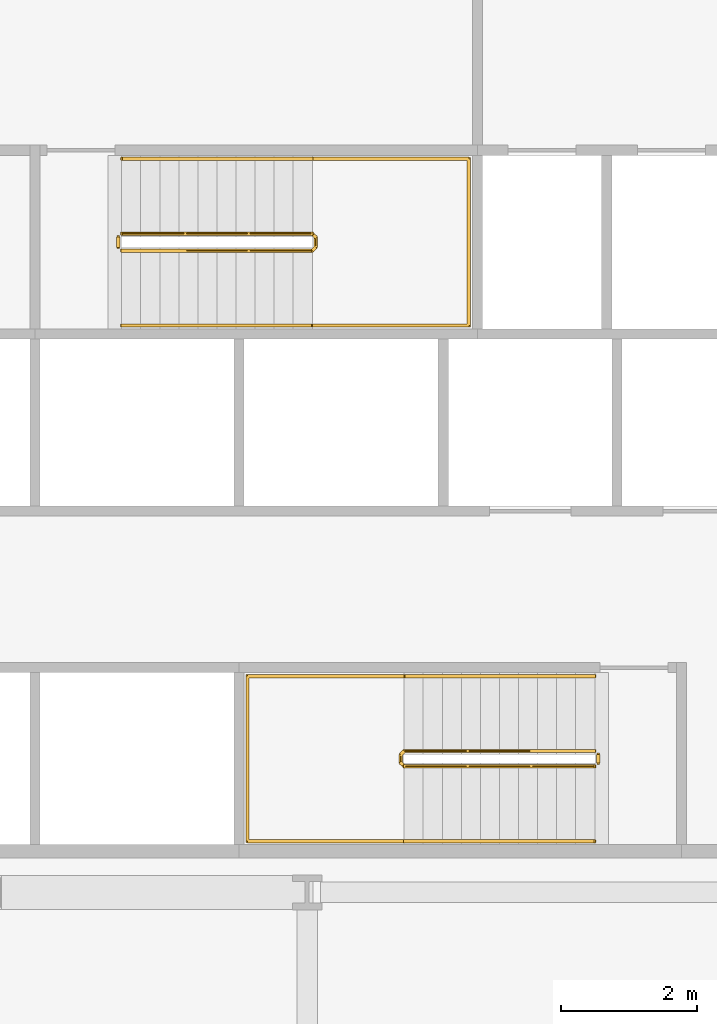
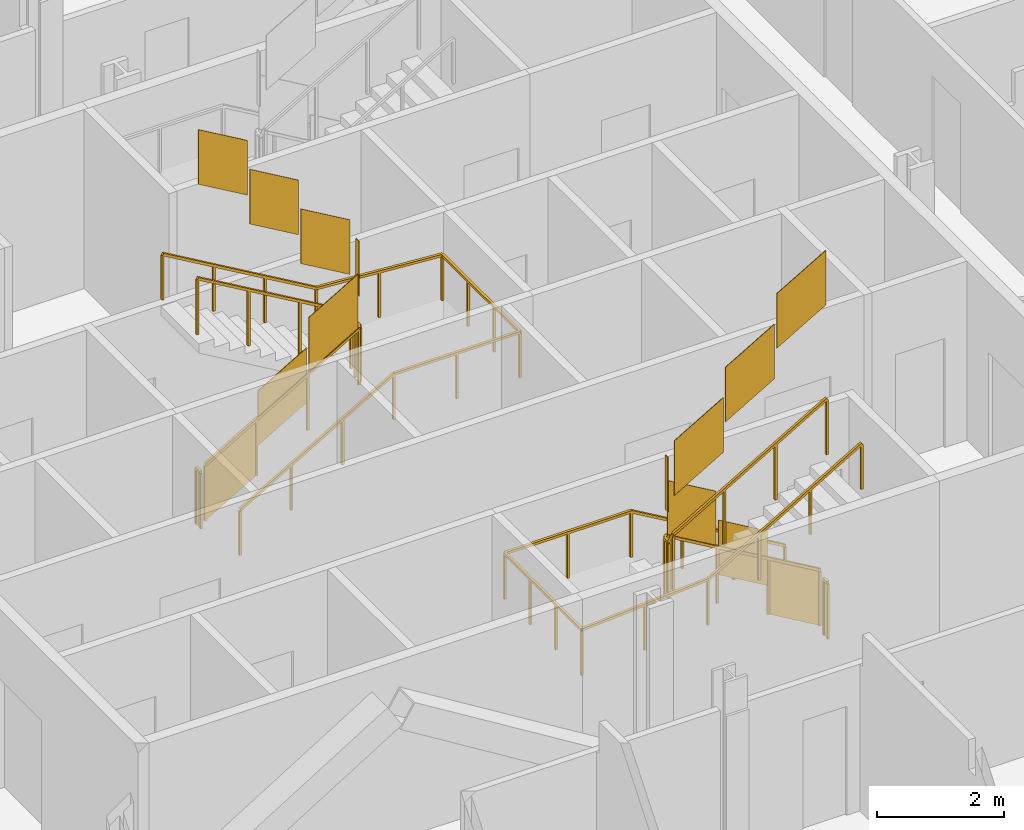
# One storey, part 16 of 19: 6 railings.
"""IFC4 building model written with IfcOpenShell, lengths in metres."""

from ifc_helpers import new_model, si_unit, direction, frame, origin, origin_2d, place, context, subcontext, project, spatial, polyline, rectangle, outline, extrude, material, type_object, element, save


model = new_model("IFC4")

# Units and contexts
model_context = context("Model", 3, precision=1e-05, world=origin(), true_north=direction((0.0, 1.0)))
body_context = subcontext(model_context, "Body", "Model", "MODEL_VIEW")
ifc_project = project(units=[si_unit("LENGTHUNIT", "METRE"), si_unit("AREAUNIT", "SQUARE_METRE"), si_unit("VOLUMEUNIT", "CUBIC_METRE"), si_unit("PLANEANGLEUNIT", "RADIAN"), si_unit("MASSUNIT", "GRAM", prefix="KILO")], contexts=[model_context])

# Site, building, storey
site_placement = place(None, origin())
site = spatial("IfcSite", under=ifc_project, at=site_placement, CompositionType="ELEMENT")
building_placement = place(site_placement, origin())
building = spatial("IfcBuilding", under=site, at=building_placement, Name="Cairn Pilgrim Tower", CompositionType="ELEMENT")
storey_placement = place(building_placement, frame((0.0, 0.0, 97.800048828125)))
storey = spatial("IfcBuildingStorey", under=building, at=storey_placement, Name="L23", CompositionType="ELEMENT", Elevation=97.800048828125)

# Railings
ifc_material = material(Name="Painted steel", Category="steel")
railing_type_1 = type_object("IfcRailingType", Name="STAIR GUARD 1100", PredefinedType="GUARDRAIL", material=ifc_material)
railing_1_placement = place(storey_placement, frame((11.425048828125, -3.925048828125, 0.16357421875)))
element("IfcRailing", 1, at=railing_1_placement, inside=storey, type_object=railing_type_1, Name="L23 ST-A stair guard 1", PredefinedType="GUARDRAIL", context=body_context, shape_type="SweptSolid", body=[
    extrude(rectangle(XDim=0.048095703125, YDim=0.048095703125, at=origin_2d()), frame((0.0, 0.0, 1.076171875), z_axis=(-0.863360870873, 0.0, 0.504586966384), x_axis=(0.0, -1.0, 0.0)), (0.0, 0.0, 1.0), 3.2431640625),
    extrude(rectangle(XDim=0.048095703125, YDim=0.048095703125, at=origin_2d()), frame((-2.800048828125, 0.0, 2.71240234375), z_axis=(-0.707106781187, -0.707106781187, 0.0), x_axis=(0.707106781187, -0.707106781187, 0.0)), (0.0, 0.0, 1.0), 0.07080078125),
    extrude(rectangle(XDim=0.048095703125, YDim=0.048095703125, at=origin_2d()), frame((-2.85009765625, -0.050048828125, 2.71240234375), z_axis=(0.0, -1.0, 0.0), x_axis=(1.0, 0.0, 0.0)), (0.0, 0.0, 1.0), 0.125),
    extrude(rectangle(XDim=0.048095703125, YDim=0.048095703125, at=origin_2d()), frame((-2.85009765625, -0.175048828125, 2.71240234375), z_axis=(0.280916556609, -0.279546231943, 0.91811752648), x_axis=(0.705375805398, 0.708833529934, 0.0)), (0.0, 0.0, 1.0), 0.17822265625),
    extrude(rectangle(XDim=0.048095703125, YDim=0.048095703125, at=origin_2d()), frame((-2.800048828125, -0.224853515625, 2.8759765625), z_axis=(0.863393664356, 0.0, 0.504530851732), x_axis=(0.0, 1.0, 0.0)), (0.0, 0.0, 1.0), 3.2431640625),
    extrude(rectangle(XDim=0.0419921875, YDim=0.0419921875, at=origin_2d()), origin(), (0.0, 0.0, 1.0), 1.052001953125),
    extrude(rectangle(XDim=0.0419921875, YDim=0.0419921875, at=origin_2d()), frame((-0.933349609375, 0.0, 0.54541015625)), (0.0, 0.0, 1.0), 1.052001953125),
    extrude(rectangle(XDim=0.0419921875, YDim=0.0419921875, at=origin_2d()), frame((-1.86669921875, 0.0, 1.091064453125)), (0.0, 0.0, 1.0), 1.052001953125),
    extrude(rectangle(XDim=0.0419921875, YDim=0.0419921875, at=origin_2d()), frame((-2.800048828125, 0.0, 1.636474609375)), (0.0, 0.0, 1.0), 1.052001953125),
    extrude(rectangle(XDim=0.0419921875, YDim=0.0419921875, at=origin_2d()), frame((-2.85009765625, -0.050048828125, 1.636474609375)), (0.0, 0.0, 1.0), 1.052001953125),
    extrude(rectangle(XDim=0.0419921875, YDim=0.0419921875, at=origin_2d()), frame((-2.85009765625, -0.175048828125, 1.636474609375)), (0.0, 0.0, 1.0), 1.052001953125),
    extrude(rectangle(XDim=0.0419921875, YDim=0.0419921875, at=origin_2d()), frame((-2.800048828125, -0.224853515625, 1.800048828125)), (0.0, 0.0, 1.0), 1.052001953125),
    extrude(rectangle(XDim=0.0419921875, YDim=0.0419921875, at=origin_2d()), frame((-1.86669921875, -0.224853515625, 2.345458984375)), (0.0, 0.0, 1.0), 1.052001953125),
    extrude(rectangle(XDim=0.0419921875, YDim=0.0419921875, at=origin_2d()), frame((-0.933349609375, -0.224853515625, 2.890869140625)), (0.0, 0.0, 1.0), 1.052001953125),
    extrude(rectangle(XDim=0.0419921875, YDim=0.0419921875, at=origin_2d()), frame((0.0, -0.224853515625, 3.436279296875)), (0.0, 0.0, 1.0), 1.052001953125),
    extrude(outline(polyline([(0.02099609375, 0.01220703125), (0.912353515625, 0.533203125), (0.912353515625, 1.585205078125), (0.02099609375, 1.064208984375), (0.02099609375, 0.01220703125)])), frame((0.0, -0.005859375, 0.0), z_axis=(0.0, 1.0, 0.0), x_axis=(-1.0, 0.0, 0.0)), (0.0, 0.0, 1.0), 0.011962890625),
    extrude(outline(polyline([(0.02099609375, 0.557861328125), (0.912353515625, 1.07861328125), (0.912353515625, 2.130615234375), (0.02099609375, 1.60986328125), (0.02099609375, 0.557861328125)])), frame((-0.933349609375, -0.005859375, 0.54541015625), z_axis=(0.0, 1.0, 0.0), x_axis=(-1.0, 0.0, 0.0)), (0.0, 0.0, 1.0), 0.011962890625),
    extrude(outline(polyline([(0.02099609375, 1.103271484375), (0.912353515625, 1.624267578125), (0.912353515625, 2.67626953125), (0.02099609375, 2.1552734375), (0.02099609375, 1.103271484375)])), frame((-1.86669921875, -0.005859375, 1.091064453125), z_axis=(0.0, 1.0, 0.0), x_axis=(-1.0, 0.0, 0.0)), (0.0, 0.0, 1.0), 0.011962890625),
    extrude(outline(polyline([(0.02099609375, 1.636474609375), (0.10400390625, 1.636474609375), (0.10400390625, 2.6884765625), (0.02099609375, 2.6884765625), (0.02099609375, 1.636474609375)])), frame((-2.84423828125, -0.050048828125, 1.636474609375), z_axis=(-1.0, 0.0, 0.0), x_axis=(0.0, -1.0, 0.0)), (0.0, 0.0, 1.0), 0.011962890625),
    extrude(outline(polyline([(0.02099609375, 1.812255859375), (0.912353515625, 2.333251953125), (0.912353515625, 3.38525390625), (0.02099609375, 2.8642578125), (0.02099609375, 1.812255859375)])), frame((-2.800048828125, -0.21875, 1.800048828125), z_axis=(0.0, -1.0, 0.0), x_axis=(1.0, 0.0, 0.0)), (0.0, 0.0, 1.0), 0.011962890625),
    extrude(outline(polyline([(0.02099609375, 2.357666015625), (0.912353515625, 2.878662109375), (0.912353515625, 3.9306640625), (0.02099609375, 3.40966796875), (0.02099609375, 2.357666015625)])), frame((-1.86669921875, -0.21875, 2.345458984375), z_axis=(0.0, -1.0, 0.0), x_axis=(1.0, 0.0, 0.0)), (0.0, 0.0, 1.0), 0.011962890625),
    extrude(outline(polyline([(0.02099609375, 2.903076171875), (0.912353515625, 3.424072265625), (0.912353515625, 4.47607421875), (0.02099609375, 3.955078125), (0.02099609375, 2.903076171875)])), frame((-0.933349609375, -0.21875, 2.890869140625), z_axis=(0.0, -1.0, 0.0), x_axis=(1.0, 0.0, 0.0)), (0.0, 0.0, 1.0), 0.011962890625),
])
railing_2_placement = place(storey_placement, frame((11.47509765625, -3.97509765625, 0.0)))
element("IfcRailing", 2, at=railing_2_placement, inside=storey, type_object=railing_type_1, Name="L23 ST-A stair guard 2", PredefinedType="GUARDRAIL", context=body_context, shape_type="SweptSolid", body=[
    extrude(rectangle(XDim=0.048095703125, YDim=0.048095703125, at=origin_2d()), frame((0.0, 0.0, 1.076171875), z_axis=(0.0, -1.0, 0.0), x_axis=(1.0, 0.0, 0.0)), (0.0, 0.0, 1.0), 0.125),
    extrude(rectangle(XDim=0.0419921875, YDim=0.0419921875, at=origin_2d()), origin(), (0.0, 0.0, 1.0), 1.052001953125),
    extrude(rectangle(XDim=0.0419921875, YDim=0.0419921875, at=origin_2d()), frame((0.0, -0.125, 0.0)), (0.0, 0.0, 1.0), 1.052001953125),
    extrude(outline(polyline([(0.02099609375, 0.0), (0.10400390625, 0.0), (0.10400390625, 1.052001953125), (0.02099609375, 1.052001953125), (0.02099609375, 0.0)])), frame((0.005859375, 0.0, 0.0), z_axis=(-1.0, 0.0, 0.0), x_axis=(0.0, -1.0, 0.0)), (0.0, 0.0, 1.0), 0.011962890625),
])
railing_3_placement = place(storey_placement, frame((4.47509765625, 3.425048828125, 0.16357421875)))
element("IfcRailing", 3, at=railing_3_placement, inside=storey, type_object=railing_type_1, Name="L23 ST-B stair guard 1", PredefinedType="GUARDRAIL", context=body_context, shape_type="SweptSolid", body=[
    extrude(rectangle(XDim=0.048095703125, YDim=0.048095703125, at=origin_2d()), frame((0.0, 0.0, 1.076171875), z_axis=(0.863341702679, 0.0, 0.504619762213), x_axis=(0.0, 1.0, 0.0)), (0.0, 0.0, 1.0), 3.242919921875),
    extrude(rectangle(XDim=0.048095703125, YDim=0.048095703125, at=origin_2d()), frame((2.7998046875, 0.0, 2.71240234375), z_axis=(0.707106781187, 0.707106781187, 0.0), x_axis=(-0.707106781187, 0.707106781187, 0.0)), (0.0, 0.0, 1.0), 0.07080078125),
    extrude(rectangle(XDim=0.048095703125, YDim=0.048095703125, at=origin_2d()), frame((2.849853515625, 0.050048828125, 2.71240234375), z_axis=(0.0, 1.0, 0.0), x_axis=(-1.0, 0.0, 0.0)), (0.0, 0.0, 1.0), 0.14990234375),
    extrude(rectangle(XDim=0.048095703125, YDim=0.048095703125, at=origin_2d()), frame((2.849853515625, 0.199951171875, 2.71240234375), z_axis=(-0.280808744504, 0.280808744504, 0.917765164963), x_axis=(-0.707106781187, -0.707106781187, 0.0)), (0.0, 0.0, 1.0), 0.17822265625),
    extrude(rectangle(XDim=0.048095703125, YDim=0.048095703125, at=origin_2d()), frame((2.7998046875, 0.25, 2.8759765625), z_axis=(-0.863374499697, 0.0, 0.504563646405), x_axis=(0.0, -1.0, 0.0)), (0.0, 0.0, 1.0), 3.242919921875),
    extrude(rectangle(XDim=0.0419921875, YDim=0.0419921875, at=origin_2d()), origin(), (0.0, 0.0, 1.0), 1.052001953125),
    extrude(rectangle(XDim=0.0419921875, YDim=0.0419921875, at=origin_2d()), frame((0.933349609375, 0.0, 0.54541015625)), (0.0, 0.0, 1.0), 1.052001953125),
    extrude(rectangle(XDim=0.0419921875, YDim=0.0419921875, at=origin_2d()), frame((1.866455078125, 0.0, 1.091064453125)), (0.0, 0.0, 1.0), 1.052001953125),
    extrude(rectangle(XDim=0.0419921875, YDim=0.0419921875, at=origin_2d()), frame((2.7998046875, 0.0, 1.636474609375)), (0.0, 0.0, 1.0), 1.052001953125),
    extrude(rectangle(XDim=0.0419921875, YDim=0.0419921875, at=origin_2d()), frame((2.849853515625, 0.050048828125, 1.636474609375)), (0.0, 0.0, 1.0), 1.052001953125),
    extrude(rectangle(XDim=0.0419921875, YDim=0.0419921875, at=origin_2d()), frame((2.849853515625, 0.199951171875, 1.636474609375)), (0.0, 0.0, 1.0), 1.052001953125),
    extrude(rectangle(XDim=0.0419921875, YDim=0.0419921875, at=origin_2d()), frame((2.7998046875, 0.25, 1.800048828125)), (0.0, 0.0, 1.0), 1.052001953125),
    extrude(rectangle(XDim=0.0419921875, YDim=0.0419921875, at=origin_2d()), frame((1.866455078125, 0.25, 2.345458984375)), (0.0, 0.0, 1.0), 1.052001953125),
    extrude(rectangle(XDim=0.0419921875, YDim=0.0419921875, at=origin_2d()), frame((0.933349609375, 0.25, 2.890869140625)), (0.0, 0.0, 1.0), 1.052001953125),
    extrude(rectangle(XDim=0.0419921875, YDim=0.0419921875, at=origin_2d()), frame((0.0, 0.25, 3.436279296875)), (0.0, 0.0, 1.0), 1.052001953125),
    extrude(outline(polyline([(0.02099609375, 0.01220703125), (0.912353515625, 0.533203125), (0.912353515625, 1.585205078125), (0.02099609375, 1.064208984375), (0.02099609375, 0.01220703125)])), frame((0.0, 0.005859375, 0.0), z_axis=(0.0, -1.0, 0.0), x_axis=(1.0, 0.0, 0.0)), (0.0, 0.0, 1.0), 0.011962890625),
    extrude(outline(polyline([(0.02099609375, 0.557861328125), (0.912353515625, 1.07861328125), (0.912353515625, 2.130615234375), (0.02099609375, 1.60986328125), (0.02099609375, 0.557861328125)])), frame((0.933349609375, 0.005859375, 0.54541015625), z_axis=(0.0, -1.0, 0.0), x_axis=(1.0, 0.0, 0.0)), (0.0, 0.0, 1.0), 0.011962890625),
    extrude(outline(polyline([(0.02099609375, 1.103271484375), (0.912353515625, 1.624267578125), (0.912353515625, 2.67626953125), (0.02099609375, 2.1552734375), (0.02099609375, 1.103271484375)])), frame((1.866455078125, 0.005859375, 1.091064453125), z_axis=(0.0, -1.0, 0.0), x_axis=(1.0, 0.0, 0.0)), (0.0, 0.0, 1.0), 0.011962890625),
    extrude(outline(polyline([(0.02099609375, 1.636474609375), (0.12890625, 1.636474609375), (0.12890625, 2.6884765625), (0.02099609375, 2.6884765625), (0.02099609375, 1.636474609375)])), frame((2.84375, 0.050048828125, 1.636474609375), z_axis=(1.0, 0.0, 0.0), x_axis=(0.0, 1.0, 0.0)), (0.0, 0.0, 1.0), 0.011962890625),
    extrude(outline(polyline([(0.02099609375, 1.812255859375), (0.912353515625, 2.333251953125), (0.912353515625, 3.38525390625), (0.02099609375, 2.8642578125), (0.02099609375, 1.812255859375)])), frame((2.7998046875, 0.244140625, 1.800048828125), z_axis=(0.0, 1.0, 0.0), x_axis=(-1.0, 0.0, 0.0)), (0.0, 0.0, 1.0), 0.011962890625),
    extrude(outline(polyline([(0.02099609375, 2.357666015625), (0.912353515625, 2.878662109375), (0.912353515625, 3.9306640625), (0.02099609375, 3.40966796875), (0.02099609375, 2.357666015625)])), frame((1.866455078125, 0.244140625, 2.345458984375), z_axis=(0.0, 1.0, 0.0), x_axis=(-1.0, 0.0, 0.0)), (0.0, 0.0, 1.0), 0.011962890625),
    extrude(outline(polyline([(0.02099609375, 2.903076171875), (0.912353515625, 3.424072265625), (0.912353515625, 4.47607421875), (0.02099609375, 3.955078125), (0.02099609375, 2.903076171875)])), frame((0.933349609375, 0.244140625, 2.890869140625), z_axis=(0.0, 1.0, 0.0), x_axis=(-1.0, 0.0, 0.0)), (0.0, 0.0, 1.0), 0.011962890625),
])
railing_4_placement = place(storey_placement, frame((4.425048828125, 3.47509765625, 0.0)))
element("IfcRailing", 4, at=railing_4_placement, inside=storey, type_object=railing_type_1, Name="L23 ST-B stair guard 2", PredefinedType="GUARDRAIL", context=body_context, shape_type="SweptSolid", body=[
    extrude(rectangle(XDim=0.048095703125, YDim=0.048095703125, at=origin_2d()), frame((0.0, 0.0, 1.076171875), z_axis=(0.0, 1.0, 0.0), x_axis=(-1.0, 0.0, 0.0)), (0.0, 0.0, 1.0), 0.14990234375),
    extrude(rectangle(XDim=0.0419921875, YDim=0.0419921875, at=origin_2d()), origin(), (0.0, 0.0, 1.0), 1.052001953125),
    extrude(rectangle(XDim=0.0419921875, YDim=0.0419921875, at=origin_2d()), frame((0.0, 0.14990234375, 0.0)), (0.0, 0.0, 1.0), 1.052001953125),
    extrude(outline(polyline([(0.02099609375, 0.0), (0.12890625, 0.0), (0.12890625, 1.052001953125), (0.02099609375, 1.052001953125), (0.02099609375, 0.0)])), frame((-0.005859375, 0.0, 0.0), z_axis=(1.0, 0.0, 0.0), x_axis=(0.0, 1.0, 0.0)), (0.0, 0.0, 1.0), 0.011962890625),
])
railing_type_2 = type_object("IfcRailingType", Name="STAIR HANDRAIL 900", PredefinedType="HANDRAIL", material=ifc_material)
railing_5_placement = place(storey_placement, frame((11.425048828125, -2.824951171875, 0.16357421875)))
element("IfcRailing", 5, at=railing_5_placement, inside=storey, type_object=railing_type_2, Name="L23 ST-A stair handrail 1", PredefinedType="HANDRAIL", context=body_context, shape_type="SweptSolid", body=[
    extrude(rectangle(XDim=0.048095703125, YDim=0.048095703125, at=origin_2d()), frame((0.0, 0.0, 0.8759765625), z_axis=(-0.863360870873, 0.0, 0.504586966384), x_axis=(0.0, -1.0, 0.0)), (0.0, 0.0, 1.0), 3.2431640625),
    extrude(rectangle(XDim=0.048095703125, YDim=0.048095703125, at=origin_2d()), frame((-2.800048828125, 0.0, 2.51220703125), z_axis=(-1.0, 0.0, 0.0), x_axis=(0.0, -1.0, 0.0)), (0.0, 0.0, 1.0), 2.300048828125),
    extrude(rectangle(XDim=0.048095703125, YDim=0.048095703125, at=origin_2d()), frame((-5.10009765625, 0.0, 2.51220703125), z_axis=(0.0, -1.0, 0.0), x_axis=(1.0, 0.0, 0.0)), (0.0, 0.0, 1.0), 2.425048828125),
    extrude(rectangle(XDim=0.048095703125, YDim=0.048095703125, at=origin_2d()), frame((-5.10009765625, -2.425048828125, 2.51220703125), z_axis=(0.997480687736, 0.0, 0.070938548008), x_axis=(0.0, 1.0, 0.0)), (0.0, 0.0, 1.0), 2.305908203125),
    extrude(rectangle(XDim=0.048095703125, YDim=0.048095703125, at=origin_2d()), frame((-2.800048828125, -2.425048828125, 2.67578125), z_axis=(0.863393664356, 0.0, 0.504530851732), x_axis=(0.0, 1.0, 0.0)), (0.0, 0.0, 1.0), 3.2431640625),
    extrude(rectangle(XDim=0.0419921875, YDim=0.0419921875, at=origin_2d()), origin(), (0.0, 0.0, 1.0), 0.851806640625),
    extrude(rectangle(XDim=0.0419921875, YDim=0.0419921875, at=origin_2d()), frame((-0.933349609375, 0.0, 0.54541015625)), (0.0, 0.0, 1.0), 0.851806640625),
    extrude(rectangle(XDim=0.0419921875, YDim=0.0419921875, at=origin_2d()), frame((-1.86669921875, 0.0, 1.091064453125)), (0.0, 0.0, 1.0), 0.851806640625),
    extrude(rectangle(XDim=0.0419921875, YDim=0.0419921875, at=origin_2d()), frame((-2.800048828125, 0.0, 1.636474609375)), (0.0, 0.0, 1.0), 0.851806640625),
    extrude(rectangle(XDim=0.0419921875, YDim=0.0419921875, at=origin_2d()), frame((-3.9501953125, 0.0, 1.636474609375)), (0.0, 0.0, 1.0), 0.851806640625),
    extrude(rectangle(XDim=0.0419921875, YDim=0.0419921875, at=origin_2d()), frame((-5.10009765625, 0.0, 1.636474609375)), (0.0, 0.0, 1.0), 0.851806640625),
    extrude(rectangle(XDim=0.0419921875, YDim=0.0419921875, at=origin_2d()), frame((-5.10009765625, -0.808349609375, 1.636474609375)), (0.0, 0.0, 1.0), 0.851806640625),
    extrude(rectangle(XDim=0.0419921875, YDim=0.0419921875, at=origin_2d()), frame((-5.10009765625, -1.61669921875, 1.636474609375)), (0.0, 0.0, 1.0), 0.851806640625),
    extrude(rectangle(XDim=0.0419921875, YDim=0.0419921875, at=origin_2d()), frame((-5.10009765625, -2.425048828125, 1.636474609375)), (0.0, 0.0, 1.0), 0.851806640625),
    extrude(rectangle(XDim=0.0419921875, YDim=0.0419921875, at=origin_2d()), frame((-3.9501953125, -2.425048828125, 1.71826171875)), (0.0, 0.0, 1.0), 0.851806640625),
    extrude(rectangle(XDim=0.0419921875, YDim=0.0419921875, at=origin_2d()), frame((-2.800048828125, -2.425048828125, 1.800048828125)), (0.0, 0.0, 1.0), 0.851806640625),
    extrude(rectangle(XDim=0.0419921875, YDim=0.0419921875, at=origin_2d()), frame((-1.86669921875, -2.425048828125, 2.345458984375)), (0.0, 0.0, 1.0), 0.851806640625),
    extrude(rectangle(XDim=0.0419921875, YDim=0.0419921875, at=origin_2d()), frame((-0.933349609375, -2.425048828125, 2.890869140625)), (0.0, 0.0, 1.0), 0.851806640625),
    extrude(rectangle(XDim=0.0419921875, YDim=0.0419921875, at=origin_2d()), frame((0.0, -2.425048828125, 3.436279296875)), (0.0, 0.0, 1.0), 0.851806640625),
])
railing_6_placement = place(storey_placement, frame((4.47509765625, 2.324951171875, 0.16357421875)))
element("IfcRailing", 6, at=railing_6_placement, inside=storey, type_object=railing_type_2, Name="L23 ST-B stair handrail 1", PredefinedType="HANDRAIL", context=body_context, shape_type="SweptSolid", body=[
    extrude(rectangle(XDim=0.048095703125, YDim=0.048095703125, at=origin_2d()), frame((0.0, 0.0, 0.8759765625), z_axis=(0.863341702679, 0.0, 0.504619762213), x_axis=(0.0, 1.0, 0.0)), (0.0, 0.0, 1.0), 3.242919921875),
    extrude(rectangle(XDim=0.048095703125, YDim=0.048095703125, at=origin_2d()), frame((2.7998046875, 0.0, 2.51220703125), z_axis=(1.0, 0.0, 0.0), x_axis=(0.0, 1.0, 0.0)), (0.0, 0.0, 1.0), 2.300048828125),
    extrude(rectangle(XDim=0.048095703125, YDim=0.048095703125, at=origin_2d()), frame((5.099853515625, 0.0, 2.51220703125), z_axis=(0.0, 1.0, 0.0), x_axis=(-1.0, 0.0, 0.0)), (0.0, 0.0, 1.0), 2.449951171875),
    extrude(rectangle(XDim=0.048095703125, YDim=0.048095703125, at=origin_2d()), frame((5.099853515625, 2.449951171875, 2.51220703125), z_axis=(-0.997480687736, 0.0, 0.070938548008), x_axis=(0.0, -1.0, 0.0)), (0.0, 0.0, 1.0), 2.305908203125),
    extrude(rectangle(XDim=0.048095703125, YDim=0.048095703125, at=origin_2d()), frame((2.7998046875, 2.449951171875, 2.67578125), z_axis=(-0.863374499697, 0.0, 0.504563646405), x_axis=(0.0, -1.0, 0.0)), (0.0, 0.0, 1.0), 3.242919921875),
    extrude(rectangle(XDim=0.0419921875, YDim=0.0419921875, at=origin_2d()), origin(), (0.0, 0.0, 1.0), 0.851806640625),
    extrude(rectangle(XDim=0.0419921875, YDim=0.0419921875, at=origin_2d()), frame((0.933349609375, 0.0, 0.54541015625)), (0.0, 0.0, 1.0), 0.851806640625),
    extrude(rectangle(XDim=0.0419921875, YDim=0.0419921875, at=origin_2d()), frame((1.866455078125, 0.0, 1.091064453125)), (0.0, 0.0, 1.0), 0.851806640625),
    extrude(rectangle(XDim=0.0419921875, YDim=0.0419921875, at=origin_2d()), frame((2.7998046875, 0.0, 1.636474609375)), (0.0, 0.0, 1.0), 0.851806640625),
    extrude(rectangle(XDim=0.0419921875, YDim=0.0419921875, at=origin_2d()), frame((3.94970703125, 0.0, 1.636474609375)), (0.0, 0.0, 1.0), 0.851806640625),
    extrude(rectangle(XDim=0.0419921875, YDim=0.0419921875, at=origin_2d()), frame((5.099853515625, 0.0, 1.636474609375)), (0.0, 0.0, 1.0), 0.851806640625),
    extrude(rectangle(XDim=0.0419921875, YDim=0.0419921875, at=origin_2d()), frame((5.099853515625, 0.816650390625, 1.636474609375)), (0.0, 0.0, 1.0), 0.851806640625),
    extrude(rectangle(XDim=0.0419921875, YDim=0.0419921875, at=origin_2d()), frame((5.099853515625, 1.63330078125, 1.636474609375)), (0.0, 0.0, 1.0), 0.851806640625),
    extrude(rectangle(XDim=0.0419921875, YDim=0.0419921875, at=origin_2d()), frame((5.099853515625, 2.449951171875, 1.636474609375)), (0.0, 0.0, 1.0), 0.851806640625),
    extrude(rectangle(XDim=0.0419921875, YDim=0.0419921875, at=origin_2d()), frame((3.94970703125, 2.449951171875, 1.71826171875)), (0.0, 0.0, 1.0), 0.851806640625),
    extrude(rectangle(XDim=0.0419921875, YDim=0.0419921875, at=origin_2d()), frame((2.7998046875, 2.449951171875, 1.800048828125)), (0.0, 0.0, 1.0), 0.851806640625),
    extrude(rectangle(XDim=0.0419921875, YDim=0.0419921875, at=origin_2d()), frame((1.866455078125, 2.449951171875, 2.345458984375)), (0.0, 0.0, 1.0), 0.851806640625),
    extrude(rectangle(XDim=0.0419921875, YDim=0.0419921875, at=origin_2d()), frame((0.933349609375, 2.449951171875, 2.890869140625)), (0.0, 0.0, 1.0), 0.851806640625),
    extrude(rectangle(XDim=0.0419921875, YDim=0.0419921875, at=origin_2d()), frame((0.0, 2.449951171875, 3.436279296875)), (0.0, 0.0, 1.0), 0.851806640625),
])

save(model, "model.ifc")
